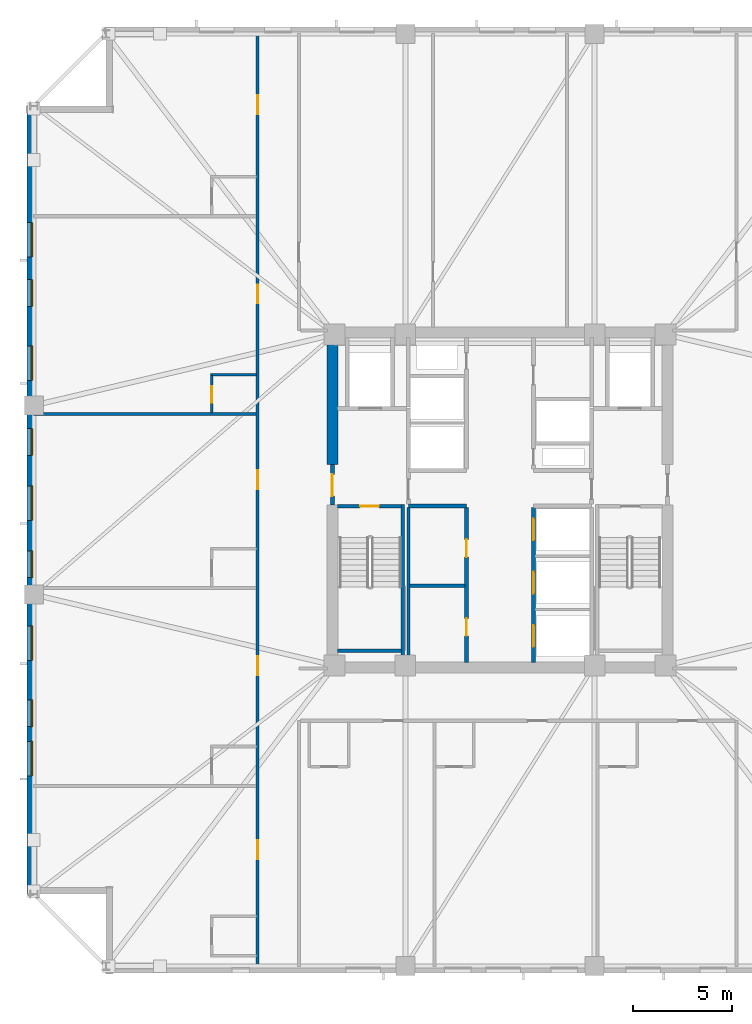
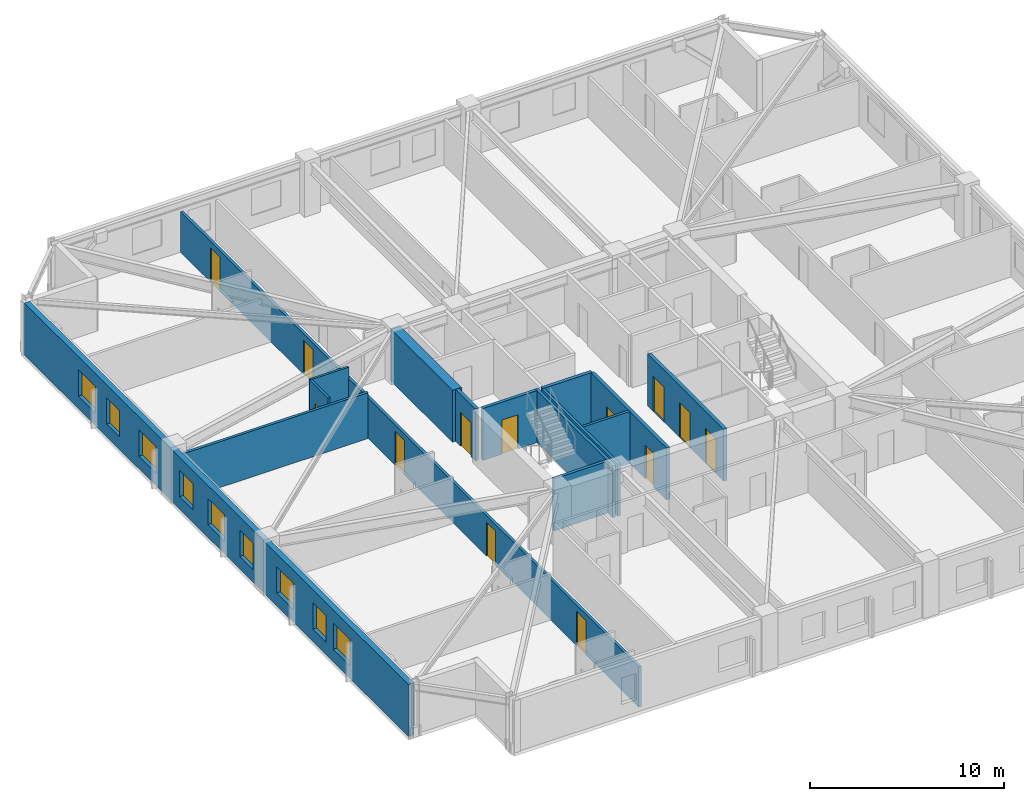
# One storey, part 3 of 11: 15 walls, 13 doors, 9 windows, 22 openings.
"""IFC4 building model written with IfcOpenShell, lengths in metres."""

from ifc_helpers import new_model, si_unit, direction, frame, frame_2d, origin, place, context, subcontext, project, spatial, rectangle, extrude, material, layer, layer_set, type_object, element, fill, save


model = new_model("IFC4")

# Units and contexts
model_context = context("Model", 3, precision=1e-05, world=origin(), true_north=direction((0.0, 1.0)))
body_context = subcontext(model_context, "Body", "Model", "MODEL_VIEW")
ifc_project = project(units=[si_unit("LENGTHUNIT", "METRE"), si_unit("AREAUNIT", "SQUARE_METRE"), si_unit("VOLUMEUNIT", "CUBIC_METRE"), si_unit("PLANEANGLEUNIT", "RADIAN"), si_unit("MASSUNIT", "GRAM", prefix="KILO")], contexts=[model_context])

# Site, building, storey
site_placement = place(None, origin())
site = spatial("IfcSite", under=ifc_project, at=site_placement, CompositionType="ELEMENT")
building_placement = place(site_placement, origin())
building = spatial("IfcBuilding", under=site, at=building_placement, Name="Cairnveth Concourse Tower", CompositionType="ELEMENT")
storey_placement = place(building_placement, frame((0.0, 0.0, 172.5)))
storey = spatial("IfcBuildingStorey", under=building, at=storey_placement, Name="L47", CompositionType="ELEMENT", Elevation=172.5)

# Walls
ifc_material_1 = material(Name="Gypsum Plasterboard Partition", Category="gypsum")
ifc_layer_1 = layer(ifc_material_1, 0.159912109375)
ifc_layer_set_1 = layer_set([ifc_layer_1], Name="Gypsum Plasterboard Partition")
wall_type_1 = type_object("IfcWallType", Name="ACOUSTIC PARTY WALL 180", PredefinedType="PARTITIONING", material=ifc_layer_set_1)
wall_1_placement = place(storey_placement, frame((47.35009765625, 30.760009765625, 0.0), z_axis=(0.0, 0.0, 1.0), x_axis=(0.0, 1.0, 0.0)))
element("IfcWall", 1, at=wall_1_placement, inside=storey, type_object=wall_type_1, Name="Interior Wall IW-L47-025", PredefinedType="PARTITIONING", context=body_context, shape_type="SweptSolid", body=[
    extrude(rectangle(XDim=7.85498046875, YDim=0.159912109375, at=frame_2d((3.927490234375, 0.0))), origin(), (0.0, 0.0, 1.0), 3.280029296875),
])
wall_2_placement = place(storey_placement, frame((47.4150390625, 34.64990234375, 0.0), z_axis=(0.0, 0.0, 1.0), x_axis=(1.0, 0.0, 0.0)))
element("IfcWall", 2, at=wall_2_placement, inside=storey, type_object=wall_type_1, Name="Interior Wall IW-L47-026", PredefinedType="PARTITIONING", context=body_context, shape_type="SweptSolid", body=[
    extrude(rectangle(XDim=2.800048828125, YDim=0.159912109375, at=frame_2d((1.39990234375, 0.0))), origin(), (0.0, 0.0, 1.0), 3.280029296875),
])

# Wall, openings, doors
wall_3_placement = place(storey_placement, frame((39.699951171875, 15.324951171875, 0.0), z_axis=(0.0, 0.0, 1.0), x_axis=(0.0, 1.0, 0.0)))
wall_3 = element("IfcWall", 3, at=wall_3_placement, inside=storey, type_object=wall_type_1, Name="Interior Wall IW-L47-036", PredefinedType="PARTITIONING", context=body_context, shape_type="SweptSolid", body=[
    extrude(rectangle(XDim=47.35009765625, YDim=0.159912109375, at=frame_2d((23.675048828125, 0.0))), origin(), (0.0, 0.0, 1.0), 2.554931640625),
])
opening_1_placement = place(wall_3_placement, frame((5.451416015625, 0.0, 0.0)))
opening_1 = element("IfcOpeningElement", 4, at=opening_1_placement, cuts=wall_3, Name="Opening ID09", PredefinedType="OPENING", context=body_context, shape_type="SweptSolid", body=[
    extrude(rectangle(XDim=0.9599609375, YDim=2.14990234375, at=frame_2d((0.47998046875, 1.074951171875))), frame((0.0, 0.08984375, 0.0), z_axis=(0.0, -1.0, 0.0), x_axis=(1.0, 0.0, 0.0)), (0.0, 0.0, 1.0), 0.179931640625),
])
opening_2_placement = place(wall_3_placement, frame((14.78271484375, 0.0, 0.0)))
opening_2 = element("IfcOpeningElement", 5, at=opening_2_placement, cuts=wall_3, Name="Opening ID09", PredefinedType="OPENING", context=body_context, shape_type="SweptSolid", body=[
    extrude(rectangle(XDim=0.9599609375, YDim=2.14990234375, at=frame_2d((0.47998046875, 1.074951171875))), frame((0.0, 0.08984375, 0.0), z_axis=(0.0, -1.0, 0.0), x_axis=(1.0, 0.0, 0.0)), (0.0, 0.0, 1.0), 0.179931640625),
])
opening_3_placement = place(wall_3_placement, frame((24.21484375, 0.0, 0.0)))
opening_3 = element("IfcOpeningElement", 6, at=opening_3_placement, cuts=wall_3, Name="Opening ID09", PredefinedType="OPENING", context=body_context, shape_type="SweptSolid", body=[
    extrude(rectangle(XDim=0.9599609375, YDim=2.14990234375, at=frame_2d((0.47998046875, 1.074951171875))), frame((0.0, 0.08984375, 0.0), z_axis=(0.0, -1.0, 0.0), x_axis=(1.0, 0.0, 0.0)), (0.0, 0.0, 1.0), 0.179931640625),
])
opening_4_placement = place(wall_3_placement, frame((33.646728515625, 0.0, 0.0)))
opening_4 = element("IfcOpeningElement", 7, at=opening_4_placement, cuts=wall_3, Name="Opening ID09", PredefinedType="OPENING", context=body_context, shape_type="SweptSolid", body=[
    extrude(rectangle(XDim=0.9599609375, YDim=2.14990234375, at=frame_2d((0.47998046875, 1.074951171875))), frame((0.0, 0.08984375, 0.0), z_axis=(0.0, -1.0, 0.0), x_axis=(1.0, 0.0, 0.0)), (0.0, 0.0, 1.0), 0.179931640625),
])
opening_5_placement = place(wall_3_placement, frame((43.25830078125, 0.0, 0.0)))
opening_5 = element("IfcOpeningElement", 8, at=opening_5_placement, cuts=wall_3, Name="Opening ID09", PredefinedType="OPENING", context=body_context, shape_type="SweptSolid", body=[
    extrude(rectangle(XDim=0.9599609375, YDim=2.14990234375, at=frame_2d((0.47998046875, 1.074951171875))), frame((0.0, 0.08984375, 0.0), z_axis=(0.0, -1.0, 0.0), x_axis=(1.0, 0.0, 0.0)), (0.0, 0.0, 1.0), 0.179931640625),
])
ifc_material_2 = material(Name="Solid Core Hardwood Timber Leaf", Category="wood")
door_type_1 = type_object("IfcDoorType", Name="HOTEL ENTRANCE DOOR 960X2150", OperationType="NOTDEFINED", PredefinedType="DOOR", material=ifc_material_2)
door_1_placement = place(opening_1_placement, origin())
door_1 = element("IfcDoor", 9, at=door_1_placement, inside=storey, type_object=door_type_1, Name="Hotel Room Door L47-W1", OperationType="SINGLE_SWING_LEFT", OverallHeight=2.14990234375, OverallWidth=0.9599609375, PredefinedType="DOOR", context=body_context, shape_type="SweptSolid", body=[
    extrude(rectangle(XDim=0.9599609375, YDim=2.14990234375, at=frame_2d((0.47998046875, 1.074951171875))), frame((0.0, 0.02490234375, 0.0), z_axis=(0.0, -1.0, 0.0), x_axis=(1.0, 0.0, 0.0)), (0.0, 0.0, 1.0), 0.050048828125),
])
fill(opening_1, door_1)
door_2_placement = place(opening_2_placement, origin())
door_2 = element("IfcDoor", 10, at=door_2_placement, inside=storey, type_object=door_type_1, Name="Hotel Room Door L47-W2", OperationType="SINGLE_SWING_LEFT", OverallHeight=2.14990234375, OverallWidth=0.9599609375, PredefinedType="DOOR", context=body_context, shape_type="SweptSolid", body=[
    extrude(rectangle(XDim=0.9599609375, YDim=2.14990234375, at=frame_2d((0.47998046875, 1.074951171875))), frame((0.0, 0.02490234375, 0.0), z_axis=(0.0, -1.0, 0.0), x_axis=(1.0, 0.0, 0.0)), (0.0, 0.0, 1.0), 0.050048828125),
])
fill(opening_2, door_2)
door_3_placement = place(opening_3_placement, origin())
door_3 = element("IfcDoor", 11, at=door_3_placement, inside=storey, type_object=door_type_1, Name="Hotel Room Door L47-W3", OperationType="SINGLE_SWING_LEFT", OverallHeight=2.14990234375, OverallWidth=0.9599609375, PredefinedType="DOOR", context=body_context, shape_type="SweptSolid", body=[
    extrude(rectangle(XDim=0.9599609375, YDim=2.14990234375, at=frame_2d((0.47998046875, 1.074951171875))), frame((0.0, 0.02490234375, 0.0), z_axis=(0.0, -1.0, 0.0), x_axis=(1.0, 0.0, 0.0)), (0.0, 0.0, 1.0), 0.050048828125),
])
fill(opening_3, door_3)
door_4_placement = place(opening_4_placement, origin())
door_4 = element("IfcDoor", 12, at=door_4_placement, inside=storey, type_object=door_type_1, Name="Hotel Room Door L47-W4", OperationType="SINGLE_SWING_LEFT", OverallHeight=2.14990234375, OverallWidth=0.9599609375, PredefinedType="DOOR", context=body_context, shape_type="SweptSolid", body=[
    extrude(rectangle(XDim=0.9599609375, YDim=2.14990234375, at=frame_2d((0.47998046875, 1.074951171875))), frame((0.0, 0.02490234375, 0.0), z_axis=(0.0, -1.0, 0.0), x_axis=(1.0, 0.0, 0.0)), (0.0, 0.0, 1.0), 0.050048828125),
])
fill(opening_4, door_4)
door_5_placement = place(opening_5_placement, origin())
door_5 = element("IfcDoor", 13, at=door_5_placement, inside=storey, type_object=door_type_1, Name="Hotel Room Door L47-W5", OperationType="SINGLE_SWING_LEFT", OverallHeight=2.14990234375, OverallWidth=0.9599609375, PredefinedType="DOOR", context=body_context, shape_type="SweptSolid", body=[
    extrude(rectangle(XDim=0.9599609375, YDim=2.14990234375, at=frame_2d((0.47998046875, 1.074951171875))), frame((0.0, 0.02490234375, 0.0), z_axis=(0.0, -1.0, 0.0), x_axis=(1.0, 0.0, 0.0)), (0.0, 0.0, 1.0), 0.050048828125),
])
fill(opening_5, door_5)

# Walls
wall_4_placement = place(storey_placement, frame((28.324951171875, 43.35693359375, 0.0), z_axis=(0.0, 0.0, 1.0), x_axis=(1.0, 0.0, 0.0)))
element("IfcWall", 14, at=wall_4_placement, inside=storey, type_object=wall_type_1, Name="Interior Wall IW-L47-067", PredefinedType="PARTITIONING", context=body_context, shape_type="SweptSolid", body=[
    extrude(rectangle(XDim=11.295166015625, YDim=0.159912109375, at=frame_2d((5.6474609375, 0.0))), origin(), (0.0, 0.0, 1.0), 2.89599609375),
])
ifc_material_3 = material(Name="Concrete N80 (80 MPa)", Category="concrete")
ifc_layer_2 = layer(ifc_material_3, 0.550048828125)
ifc_layer_set_2 = layer_set([ifc_layer_2], Name="Concrete N80 (80 MPa)")
wall_type_2 = type_object("IfcWallType", Name="CORE SHEAR WALL 550", PredefinedType="SHEAR", material=ifc_layer_set_2)
wall_5_placement = place(storey_placement, frame((43.5, 40.800048828125, 0.0), z_axis=(0.0, 0.0, 1.0), x_axis=(0.0, 1.0, 0.0)))
element("IfcWall", 15, at=wall_5_placement, inside=storey, type_object=wall_type_2, Name="Core West Shear Wall N L47", PredefinedType="SHEAR", context=body_context, shape_type="SweptSolid", body=[
    extrude(rectangle(XDim=6.43505859375, YDim=0.550048828125, at=frame_2d((3.217529296875, 0.0))), origin(), (0.0, 0.0, 1.0), 3.280029296875),
])

# Wall, opening, door
ifc_material_4 = material(Name="Concrete N50 (50 MPa)", Category="concrete")
ifc_layer_3 = layer(ifc_material_4, 0.179931640625)
ifc_layer_set_3 = layer_set([ifc_layer_3], Name="Concrete N50 (50 MPa)")
wall_type_3 = type_object("IfcWallType", Name="FIRE SHAFT WALL 180", PredefinedType="SOLIDWALL", material=ifc_layer_set_3)
wall_6_placement = place(storey_placement, frame((43.764892578125, 38.68994140625, 0.0), z_axis=(0.0, 0.0, 1.0), x_axis=(1.0, 0.0, 0.0)))
wall_6 = element("IfcWall", 16, at=wall_6_placement, inside=storey, type_object=wall_type_3, Name="Stair ST-1 Shaft Wall NEAR L47", PredefinedType="SOLIDWALL", context=body_context, shape_type="SweptSolid", body=[
    extrude(rectangle(XDim=3.230224609375, YDim=0.179931640625, at=frame_2d((1.615234375, 0.0))), origin(), (0.0, 0.0, 1.0), 3.280029296875),
])
opening_6_placement = place(wall_6_placement, frame((1.139892578125, 0.0, 0.0)))
opening_6 = element("IfcOpeningElement", 17, at=opening_6_placement, cuts=wall_6, Name="Opening ID12", PredefinedType="OPENING", context=body_context, shape_type="SweptSolid", body=[
    extrude(rectangle(XDim=0.949951171875, YDim=2.14990234375, at=frame_2d((0.47509765625, 1.074951171875))), frame((0.0, 0.099853515625, 0.0), z_axis=(0.0, -1.0, 0.0), x_axis=(1.0, 0.0, 0.0)), (0.0, 0.0, 1.0), 0.199951171875),
])
ifc_material_5 = material(Name="Steel Grade 350", Category="steel")
door_type_2 = type_object("IfcDoorType", Name="FIRE STAIR DOOR 950X2150", OperationType="NOTDEFINED", PredefinedType="DOOR", material=ifc_material_5)
door_6_placement = place(opening_6_placement, origin())
door_6 = element("IfcDoor", 18, at=door_6_placement, inside=storey, type_object=door_type_2, Name="Stair ST-1 Fire Door L47", OperationType="SINGLE_SWING_LEFT", OverallHeight=2.14990234375, OverallWidth=0.949951171875, PredefinedType="DOOR", context=body_context, shape_type="SweptSolid", body=[
    extrude(rectangle(XDim=0.949951171875, YDim=2.14990234375, at=frame_2d((0.47509765625, 1.074951171875))), frame((0.0, 0.02490234375, 0.0), z_axis=(0.0, -1.0, 0.0), x_axis=(1.0, 0.0, 0.0)), (0.0, 0.0, 1.0), 0.050048828125),
])
fill(opening_6, door_6)

# Walls
wall_7_placement = place(storey_placement, frame((43.764892578125, 31.360107421875, 0.0), z_axis=(0.0, 0.0, 1.0), x_axis=(1.0, 0.0, 0.0)))
element("IfcWall", 19, at=wall_7_placement, inside=storey, type_object=wall_type_3, Name="Stair ST-1 Shaft Wall FAR L47", PredefinedType="SOLIDWALL", context=body_context, shape_type="SweptSolid", body=[
    extrude(rectangle(XDim=3.230224609375, YDim=0.179931640625, at=frame_2d((1.615234375, 0.0))), origin(), (0.0, 0.0, 1.0), 3.280029296875),
])
wall_8_placement = place(storey_placement, frame((47.070068359375, 38.780029296875, 0.0), z_axis=(0.0, 0.0, 1.0), x_axis=(0.0, -1.0, 0.0)))
element("IfcWall", 20, at=wall_8_placement, inside=storey, type_object=wall_type_3, Name="Stair ST-1 Shaft Wall RGHT L47", PredefinedType="SOLIDWALL", context=body_context, shape_type="SweptSolid", body=[
    extrude(rectangle(XDim=8.01708984375, YDim=0.179931640625, at=frame_2d((4.008544921875, 0.0))), origin(), (0.0, 0.0, 1.0), 3.280029296875),
])
ifc_layer_4 = layer(ifc_material_4, 0.199951171875)
ifc_layer_set_4 = layer_set([ifc_layer_4], Name="Concrete N50 (50 MPa)")
wall_type_4 = type_object("IfcWallType", Name="FIRE SHAFT WALL 200", PredefinedType="SOLIDWALL", material=ifc_layer_set_4)
wall_9_placement = place(storey_placement, frame((47.35009765625, 38.699951171875, 0.0), z_axis=(0.0, 0.0, 1.0), x_axis=(1.0, 0.0, 0.0)))
element("IfcWall", 21, at=wall_9_placement, inside=storey, type_object=wall_type_4, Name="Interior Wall IW-L47-007", PredefinedType="SOLIDWALL", context=body_context, shape_type="SweptSolid", body=[
    extrude(rectangle(XDim=2.949951171875, YDim=0.199951171875, at=frame_2d((1.47509765625, 0.0))), origin(), (0.0, 0.0, 1.0), 3.280029296875),
])

# Wall, openings, doors
wall_10_placement = place(storey_placement, frame((50.300048828125, 30.760009765625, 0.0), z_axis=(0.0, 0.0, 1.0), x_axis=(0.0, 1.0, 0.0)))
wall_10 = element("IfcWall", 22, at=wall_10_placement, inside=storey, type_object=wall_type_4, Name="Interior Wall IW-L47-011", PredefinedType="SOLIDWALL", context=body_context, shape_type="SweptSolid", body=[
    extrude(rectangle(XDim=7.85498046875, YDim=0.199951171875, at=frame_2d((3.927490234375, 0.0))), origin(), (0.0, 0.0, 1.0), 3.280029296875),
])
opening_7_placement = place(wall_10_placement, frame((1.340087890625, 0.0, 0.0)))
opening_7 = element("IfcOpeningElement", 23, at=opening_7_placement, cuts=wall_10, Name="Opening ID26", PredefinedType="OPENING", context=body_context, shape_type="SweptSolid", body=[
    extrude(rectangle(XDim=0.89990234375, YDim=2.1201171875, at=frame_2d((0.449951171875, 1.06005859375))), frame((0.0, 0.10986328125, 0.0), z_axis=(0.0, -1.0, 0.0), x_axis=(1.0, 0.0, 0.0)), (0.0, 0.0, 1.0), 0.219970703125),
])
opening_8_placement = place(wall_10_placement, frame((5.340087890625, 0.0, 0.0)))
opening_8 = element("IfcOpeningElement", 24, at=opening_8_placement, cuts=wall_10, Name="Opening ID26", PredefinedType="OPENING", context=body_context, shape_type="SweptSolid", body=[
    extrude(rectangle(XDim=0.89990234375, YDim=2.1201171875, at=frame_2d((0.449951171875, 1.06005859375))), frame((0.0, 0.10986328125, 0.0), z_axis=(0.0, -1.0, 0.0), x_axis=(1.0, 0.0, 0.0)), (0.0, 0.0, 1.0), 0.219970703125),
])
door_type_3 = type_object("IfcDoorType", Name="CORE TOILET FIRE DOOR 900X2120", OperationType="NOTDEFINED", PredefinedType="DOOR", material=ifc_material_5)
door_7_placement = place(opening_7_placement, origin())
door_7 = element("IfcDoor", 25, at=door_7_placement, inside=storey, type_object=door_type_3, Name="Male WC Door L47", OperationType="SINGLE_SWING_LEFT", OverallHeight=2.1201171875, OverallWidth=0.89990234375, PredefinedType="DOOR", context=body_context, shape_type="SweptSolid", body=[
    extrude(rectangle(XDim=0.89990234375, YDim=2.1201171875, at=frame_2d((0.449951171875, 1.06005859375))), frame((0.0, 0.02490234375, 0.0), z_axis=(0.0, -1.0, 0.0), x_axis=(1.0, 0.0, 0.0)), (0.0, 0.0, 1.0), 0.050048828125),
])
fill(opening_7, door_7)
door_8_placement = place(opening_8_placement, origin())
door_8 = element("IfcDoor", 26, at=door_8_placement, inside=storey, type_object=door_type_3, Name="Female WC Door L47", OperationType="SINGLE_SWING_RIGHT", OverallHeight=2.1201171875, OverallWidth=0.89990234375, PredefinedType="DOOR", context=body_context, shape_type="SweptSolid", body=[
    extrude(rectangle(XDim=0.89990234375, YDim=2.1201171875, at=frame_2d((0.449951171875, 1.06005859375))), frame((0.0, 0.02490234375, 0.0), z_axis=(0.0, -1.0, 0.0), x_axis=(1.0, 0.0, 0.0)), (0.0, 0.0, 1.0), 0.050048828125),
])
fill(opening_8, door_8)

wall_11_placement = place(storey_placement, frame((53.699951171875, 30.760009765625, 0.0), z_axis=(0.0, 0.0, 1.0), x_axis=(0.0, 1.0, 0.0)))
wall_11 = element("IfcWall", 27, at=wall_11_placement, inside=storey, type_object=wall_type_4, Name="Interior Wall IW-L47-012", PredefinedType="SOLIDWALL", context=body_context, shape_type="SweptSolid", body=[
    extrude(rectangle(XDim=7.85498046875, YDim=0.199951171875, at=frame_2d((3.927490234375, 0.0))), origin(), (0.0, 0.0, 1.0), 3.280029296875),
])
opening_9_placement = place(wall_11_placement, frame((0.7900390625, 0.0, 0.0)))
opening_9 = element("IfcOpeningElement", 28, at=opening_9_placement, cuts=wall_11, Name="Opening LD-1", PredefinedType="OPENING", context=body_context, shape_type="SweptSolid", body=[
    extrude(rectangle(XDim=1.10009765625, YDim=2.199951171875, at=frame_2d((0.550048828125, 1.10009765625))), frame((0.0, 0.10986328125, 0.0), z_axis=(0.0, -1.0, 0.0), x_axis=(1.0, 0.0, 0.0)), (0.0, 0.0, 1.0), 0.219970703125),
])
opening_10_placement = place(wall_11_placement, frame((3.489990234375, 0.0, 0.0)))
opening_10 = element("IfcOpeningElement", 29, at=opening_10_placement, cuts=wall_11, Name="Opening LD-1", PredefinedType="OPENING", context=body_context, shape_type="SweptSolid", body=[
    extrude(rectangle(XDim=1.10009765625, YDim=2.199951171875, at=frame_2d((0.550048828125, 1.10009765625))), frame((0.0, 0.10986328125, 0.0), z_axis=(0.0, -1.0, 0.0), x_axis=(1.0, 0.0, 0.0)), (0.0, 0.0, 1.0), 0.219970703125),
])
opening_11_placement = place(wall_11_placement, frame((6.18994140625, 0.0, 0.0)))
opening_11 = element("IfcOpeningElement", 30, at=opening_11_placement, cuts=wall_11, Name="Opening LD-1", PredefinedType="OPENING", context=body_context, shape_type="SweptSolid", body=[
    extrude(rectangle(XDim=1.10009765625, YDim=2.199951171875, at=frame_2d((0.550048828125, 1.10009765625))), frame((0.0, 0.10986328125, 0.0), z_axis=(0.0, -1.0, 0.0), x_axis=(1.0, 0.0, 0.0)), (0.0, 0.0, 1.0), 0.219970703125),
])
ifc_material_6 = material(Name="Architectural Bronze Anodised Aluminium 6063-T6", Category="aluminium")
door_type_4 = type_object("IfcDoorType", Name="LIFT LANDING DOOR 1100X2200", OperationType="SLIDING_TO_LEFT", PredefinedType="DOOR", material=ifc_material_6)
door_9_placement = place(opening_9_placement, origin())
door_9 = element("IfcDoor", 31, at=door_9_placement, inside=storey, type_object=door_type_4, Name="Lift PL4 Landing Door L47", OperationType="SLIDING_TO_LEFT", OverallHeight=2.199951171875, OverallWidth=1.10009765625, PredefinedType="DOOR", context=body_context, shape_type="SweptSolid", body=[
    extrude(rectangle(XDim=1.10009765625, YDim=2.199951171875, at=frame_2d((0.550048828125, 1.10009765625))), frame((0.0, 0.02490234375, 0.0), z_axis=(0.0, -1.0, 0.0), x_axis=(1.0, 0.0, 0.0)), (0.0, 0.0, 1.0), 0.050048828125),
])
fill(opening_9, door_9)
door_10_placement = place(opening_10_placement, origin())
door_10 = element("IfcDoor", 32, at=door_10_placement, inside=storey, type_object=door_type_4, Name="Lift PL5 Landing Door L47", OperationType="SLIDING_TO_LEFT", OverallHeight=2.199951171875, OverallWidth=1.10009765625, PredefinedType="DOOR", context=body_context, shape_type="SweptSolid", body=[
    extrude(rectangle(XDim=1.10009765625, YDim=2.199951171875, at=frame_2d((0.550048828125, 1.10009765625))), frame((0.0, 0.02490234375, 0.0), z_axis=(0.0, -1.0, 0.0), x_axis=(1.0, 0.0, 0.0)), (0.0, 0.0, 1.0), 0.050048828125),
])
fill(opening_10, door_10)
door_11_placement = place(opening_11_placement, origin())
door_11 = element("IfcDoor", 33, at=door_11_placement, inside=storey, type_object=door_type_4, Name="Lift PL6 Landing Door L47", OperationType="SLIDING_TO_LEFT", OverallHeight=2.199951171875, OverallWidth=1.10009765625, PredefinedType="DOOR", context=body_context, shape_type="SweptSolid", body=[
    extrude(rectangle(XDim=1.10009765625, YDim=2.199951171875, at=frame_2d((0.550048828125, 1.10009765625))), frame((0.0, 0.02490234375, 0.0), z_axis=(0.0, -1.0, 0.0), x_axis=(1.0, 0.0, 0.0)), (0.0, 0.0, 1.0), 0.050048828125),
])
fill(opening_11, door_11)

# Wall, opening, door
wall_12_placement = place(storey_placement, frame((43.5, 38.75, 0.0), z_axis=(0.0, 0.0, 1.0), x_axis=(0.0, 1.0, 0.0)))
wall_12 = element("IfcWall", 34, at=wall_12_placement, inside=storey, type_object=wall_type_4, Name="Interior Wall IW-L47-015", PredefinedType="SOLIDWALL", context=body_context, shape_type="SweptSolid", body=[
    extrude(rectangle(XDim=2.050048828125, YDim=0.199951171875, at=frame_2d((1.02490234375, 0.0))), origin(), (0.0, 0.0, 1.0), 3.280029296875),
])
opening_12_placement = place(wall_12_placement, frame((0.449951171875, 0.0, 0.0)))
opening_12 = element("IfcOpeningElement", 35, at=opening_12_placement, cuts=wall_12, Name="Opening ID06", PredefinedType="OPENING", context=body_context, shape_type="SweptSolid", body=[
    extrude(rectangle(XDim=1.10009765625, YDim=2.14990234375, at=frame_2d((0.550048828125, 1.074951171875))), frame((0.0, 0.10986328125, 0.0), z_axis=(0.0, -1.0, 0.0), x_axis=(1.0, 0.0, 0.0)), (0.0, 0.0, 1.0), 0.219970703125),
])
door_type_5 = type_object("IfcDoorType", Name="FIRE CORRIDOR DOOR 1100X2150", OperationType="NOTDEFINED", PredefinedType="DOOR", material=ifc_material_5)
door_12_placement = place(opening_12_placement, origin())
door_12 = element("IfcDoor", 36, at=door_12_placement, inside=storey, type_object=door_type_5, Name="West Wing to FF Lobby Door L47", OperationType="SINGLE_SWING_LEFT", OverallHeight=2.14990234375, OverallWidth=1.10009765625, PredefinedType="DOOR", context=body_context, shape_type="SweptSolid", body=[
    extrude(rectangle(XDim=1.10009765625, YDim=2.14990234375, at=frame_2d((0.550048828125, 1.074951171875))), frame((0.0, 0.02490234375, 0.0), z_axis=(0.0, -1.0, 0.0), x_axis=(1.0, 0.0, 0.0)), (0.0, 0.0, 1.0), 0.050048828125),
])
fill(opening_12, door_12)

# Wall
ifc_layer_5 = layer(ifc_material_1, 0.1298828125)
ifc_layer_set_5 = layer_set([ifc_layer_5], Name="Gypsum Plasterboard Partition")
wall_type_5 = type_object("IfcWallType", Name="WET AREA PARTITION 140", PredefinedType="PLUMBINGWALL", material=ifc_layer_set_5)
wall_13_placement = place(storey_placement, frame((37.320068359375, 45.35693359375, 0.0), z_axis=(0.0, 0.0, 1.0), x_axis=(1.0, 0.0, 0.0)))
element("IfcWall", 37, at=wall_13_placement, inside=storey, type_object=wall_type_5, Name="Interior Wall IW-L47-068", PredefinedType="PLUMBINGWALL", context=body_context, shape_type="SweptSolid", body=[
    extrude(rectangle(XDim=2.31494140625, YDim=0.1298828125, at=frame_2d((1.157470703125, 0.0))), origin(), (0.0, 0.0, 1.0), 3.280029296875),
])

# Wall, opening, door
wall_14_placement = place(storey_placement, frame((37.3701171875, 43.421875, 0.0), z_axis=(0.0, 0.0, 1.0), x_axis=(0.0, 1.0, 0.0)))
wall_14 = element("IfcWall", 38, at=wall_14_placement, inside=storey, type_object=wall_type_5, Name="Interior Wall IW-L47-069", PredefinedType="PLUMBINGWALL", context=body_context, shape_type="SweptSolid", body=[
    extrude(rectangle(XDim=1.885009765625, YDim=0.1298828125, at=frame_2d((0.9423828125, 0.0))), origin(), (0.0, 0.0, 1.0), 3.280029296875),
])
opening_13_placement = place(wall_14_placement, frame((0.52490234375, 0.0, 0.0)))
opening_13 = element("IfcOpeningElement", 39, at=opening_13_placement, cuts=wall_14, Name="Opening ID22", PredefinedType="OPENING", context=body_context, shape_type="SweptSolid", body=[
    extrude(rectangle(XDim=0.820068359375, YDim=2.10009765625, at=frame_2d((0.41015625, 1.050048828125))), frame((0.0, 0.074951171875, 0.0), z_axis=(0.0, -1.0, 0.0), x_axis=(1.0, 0.0, 0.0)), (0.0, 0.0, 1.0), 0.14990234375),
])
door_type_6 = type_object("IfcDoorType", Name="INTERIOR WC DOOR 820X2100", OperationType="NOTDEFINED", PredefinedType="DOOR", material=ifc_material_2)
door_13_placement = place(opening_13_placement, origin())
door_13 = element("IfcDoor", 40, at=door_13_placement, inside=storey, type_object=door_type_6, Name="En-Suite Door L47-W4", OperationType="SINGLE_SWING_RIGHT", OverallHeight=2.10009765625, OverallWidth=0.820068359375, PredefinedType="DOOR", context=body_context, shape_type="SweptSolid", body=[
    extrude(rectangle(XDim=0.820068359375, YDim=2.10009765625, at=frame_2d((0.41015625, 1.050048828125))), frame((0.0, 0.02490234375, 0.0), z_axis=(0.0, -1.0, 0.0), x_axis=(1.0, 0.0, 0.0)), (0.0, 0.0, 1.0), 0.050048828125),
])
fill(opening_13, door_13)

# Wall, openings, windows
ifc_material_7 = material(Name="Hawthorn Red-Ochre Fired Clay Brick Masonry", Category="masonry")
ifc_layer_6 = layer(ifc_material_7, 0.340087890625)
ifc_layer_set_6 = layer_set([ifc_layer_6], Name="Hawthorn Red-Ochre Fired Clay Brick Masonry")
wall_type_6 = type_object("IfcWallType", Name="ZONE 2 BRICK PIER SPANDREL WALL 340", PredefinedType="SOLIDWALL", material=ifc_layer_set_6)
wall_15_placement = place(storey_placement, frame((28.169921875, 19.0, 0.0), z_axis=(0.0, 0.0, 1.0), x_axis=(0.0, 1.0, 0.0)))
wall_15 = element("IfcWall", 41, at=wall_15_placement, inside=storey, type_object=wall_type_6, Name="Exterior Wall EW-L47-S06", PredefinedType="SOLIDWALL", context=body_context, shape_type="SweptSolid", body=[
    extrude(rectangle(XDim=39.681884765625, YDim=0.340087890625, at=frame_2d((19.8408203125, 0.0))), origin(), (0.0, 0.0, 1.0), 3.280029296875),
])
opening_14_placement = place(wall_15_placement, frame((6.001708984375, 0.0, 0.800048828125)))
opening_14 = element("IfcOpeningElement", 42, at=opening_14_placement, cuts=wall_15, Name="Opening W06", PredefinedType="OPENING", context=body_context, shape_type="SweptSolid", body=[
    extrude(rectangle(XDim=1.75, YDim=1.659912109375, at=frame_2d((0.875, 0.830078125))), frame((0.0, 0.179931640625, 0.0), z_axis=(0.0, -1.0, 0.0), x_axis=(1.0, 0.0, 0.0)), (0.0, 0.0, 1.0), 0.360107421875),
])
opening_15_placement = place(wall_15_placement, frame((8.50537109375, 0.0, 0.800048828125)))
opening_15 = element("IfcOpeningElement", 43, at=opening_15_placement, cuts=wall_15, Name="Opening W02", PredefinedType="OPENING", context=body_context, shape_type="SweptSolid", body=[
    extrude(rectangle(XDim=1.35009765625, YDim=1.659912109375, at=frame_2d((0.675048828125, 0.830078125))), frame((0.0, 0.179931640625, 0.0), z_axis=(0.0, -1.0, 0.0), x_axis=(1.0, 0.0, 0.0)), (0.0, 0.0, 1.0), 0.360107421875),
])
opening_16_placement = place(wall_15_placement, frame((11.85888671875, 0.0, 0.800048828125)))
opening_16 = element("IfcOpeningElement", 44, at=opening_16_placement, cuts=wall_15, Name="Opening W06", PredefinedType="OPENING", context=body_context, shape_type="SweptSolid", body=[
    extrude(rectangle(XDim=1.75, YDim=1.659912109375, at=frame_2d((0.875, 0.830078125))), frame((0.0, 0.179931640625, 0.0), z_axis=(0.0, -1.0, 0.0), x_axis=(1.0, 0.0, 0.0)), (0.0, 0.0, 1.0), 0.360107421875),
])
opening_17_placement = place(wall_15_placement, frame((16.0625, 0.0, 0.800048828125)))
opening_17 = element("IfcOpeningElement", 45, at=opening_17_placement, cuts=wall_15, Name="Opening W02", PredefinedType="OPENING", context=body_context, shape_type="SweptSolid", body=[
    extrude(rectangle(XDim=1.35009765625, YDim=1.659912109375, at=frame_2d((0.675048828125, 0.830078125))), frame((0.0, 0.179931640625, 0.0), z_axis=(0.0, -1.0, 0.0), x_axis=(1.0, 0.0, 0.0)), (0.0, 0.0, 1.0), 0.360107421875),
])
opening_18_placement = place(wall_15_placement, frame((18.966064453125, 0.0, 0.800048828125)))
opening_18 = element("IfcOpeningElement", 46, at=opening_18_placement, cuts=wall_15, Name="Opening W06", PredefinedType="OPENING", context=body_context, shape_type="SweptSolid", body=[
    extrude(rectangle(XDim=1.75, YDim=1.659912109375, at=frame_2d((0.875, 0.830078125))), frame((0.0, 0.179931640625, 0.0), z_axis=(0.0, -1.0, 0.0), x_axis=(1.0, 0.0, 0.0)), (0.0, 0.0, 1.0), 0.360107421875),
])
opening_19_placement = place(wall_15_placement, frame((22.26953125, 0.0, 0.800048828125)))
opening_19 = element("IfcOpeningElement", 47, at=opening_19_placement, cuts=wall_15, Name="Opening W02", PredefinedType="OPENING", context=body_context, shape_type="SweptSolid", body=[
    extrude(rectangle(XDim=1.35009765625, YDim=1.659912109375, at=frame_2d((0.675048828125, 0.830078125))), frame((0.0, 0.179931640625, 0.0), z_axis=(0.0, -1.0, 0.0), x_axis=(1.0, 0.0, 0.0)), (0.0, 0.0, 1.0), 0.360107421875),
])
opening_20_placement = place(wall_15_placement, frame((26.072998046875, 0.0, 0.800048828125)))
opening_20 = element("IfcOpeningElement", 48, at=opening_20_placement, cuts=wall_15, Name="Opening W06", PredefinedType="OPENING", context=body_context, shape_type="SweptSolid", body=[
    extrude(rectangle(XDim=1.75, YDim=1.659912109375, at=frame_2d((0.875, 0.830078125))), frame((0.0, 0.179931640625, 0.0), z_axis=(0.0, -1.0, 0.0), x_axis=(1.0, 0.0, 0.0)), (0.0, 0.0, 1.0), 0.360107421875),
])
opening_21_placement = place(wall_15_placement, frame((29.82666015625, 0.0, 0.800048828125)))
opening_21 = element("IfcOpeningElement", 49, at=opening_21_placement, cuts=wall_15, Name="Opening W02", PredefinedType="OPENING", context=body_context, shape_type="SweptSolid", body=[
    extrude(rectangle(XDim=1.35009765625, YDim=1.659912109375, at=frame_2d((0.675048828125, 0.830078125))), frame((0.0, 0.179931640625, 0.0), z_axis=(0.0, -1.0, 0.0), x_axis=(1.0, 0.0, 0.0)), (0.0, 0.0, 1.0), 0.360107421875),
])
opening_22_placement = place(wall_15_placement, frame((32.330078125, 0.0, 0.800048828125)))
opening_22 = element("IfcOpeningElement", 50, at=opening_22_placement, cuts=wall_15, Name="Opening W06", PredefinedType="OPENING", context=body_context, shape_type="SweptSolid", body=[
    extrude(rectangle(XDim=1.75, YDim=1.659912109375, at=frame_2d((0.875, 0.830078125))), frame((0.0, 0.179931640625, 0.0), z_axis=(0.0, -1.0, 0.0), x_axis=(1.0, 0.0, 0.0)), (0.0, 0.0, 1.0), 0.360107421875),
])
ifc_material_8 = material(Name="Double Glazed Low-E Clear Glass", Category="glass")
window_type_1 = type_object("IfcWindowType", Name="DEEP-SET GOTHIC LANCET WINDOW 1350X1800", PartitioningType="DOUBLE_PANEL_VERTICAL", PredefinedType="WINDOW", material=ifc_material_8)
window_1_placement = place(opening_15_placement, origin())
window_1 = element("IfcWindow", 51, at=window_1_placement, inside=storey, type_object=window_type_1, Name="Gothic Lancet Window L47-6-2", OverallHeight=1.659912109375, OverallWidth=1.35009765625, PartitioningType="SINGLE_PANEL", PredefinedType="WINDOW", context=body_context, shape_type="SweptSolid", body=[
    extrude(rectangle(XDim=1.35009765625, YDim=1.659912109375, at=frame_2d((0.675048828125, 0.830078125))), frame((0.0, -0.050048828125, 0.0), z_axis=(0.0, -1.0, 0.0), x_axis=(1.0, 0.0, 0.0)), (0.0, 0.0, 1.0), 0.06005859375),
])
fill(opening_15, window_1)
window_2_placement = place(opening_17_placement, origin())
window_2 = element("IfcWindow", 52, at=window_2_placement, inside=storey, type_object=window_type_1, Name="Gothic Lancet Window L47-6-4", OverallHeight=1.659912109375, OverallWidth=1.35009765625, PartitioningType="SINGLE_PANEL", PredefinedType="WINDOW", context=body_context, shape_type="SweptSolid", body=[
    extrude(rectangle(XDim=1.35009765625, YDim=1.659912109375, at=frame_2d((0.675048828125, 0.830078125))), frame((0.0, -0.050048828125, 0.0), z_axis=(0.0, -1.0, 0.0), x_axis=(1.0, 0.0, 0.0)), (0.0, 0.0, 1.0), 0.06005859375),
])
fill(opening_17, window_2)
window_3_placement = place(opening_19_placement, origin())
window_3 = element("IfcWindow", 53, at=window_3_placement, inside=storey, type_object=window_type_1, Name="Gothic Lancet Window L47-6-6", OverallHeight=1.659912109375, OverallWidth=1.35009765625, PartitioningType="SINGLE_PANEL", PredefinedType="WINDOW", context=body_context, shape_type="SweptSolid", body=[
    extrude(rectangle(XDim=1.35009765625, YDim=1.659912109375, at=frame_2d((0.675048828125, 0.830078125))), frame((0.0, -0.050048828125, 0.0), z_axis=(0.0, -1.0, 0.0), x_axis=(1.0, 0.0, 0.0)), (0.0, 0.0, 1.0), 0.06005859375),
])
fill(opening_19, window_3)
window_4_placement = place(opening_21_placement, origin())
window_4 = element("IfcWindow", 54, at=window_4_placement, inside=storey, type_object=window_type_1, Name="Gothic Lancet Window L47-6-8", OverallHeight=1.659912109375, OverallWidth=1.35009765625, PartitioningType="SINGLE_PANEL", PredefinedType="WINDOW", context=body_context, shape_type="SweptSolid", body=[
    extrude(rectangle(XDim=1.35009765625, YDim=1.659912109375, at=frame_2d((0.675048828125, 0.830078125))), frame((0.0, -0.050048828125, 0.0), z_axis=(0.0, -1.0, 0.0), x_axis=(1.0, 0.0, 0.0)), (0.0, 0.0, 1.0), 0.06005859375),
])
fill(opening_21, window_4)
window_type_2 = type_object("IfcWindowType", Name="DEEP-SET HOTEL SUITE WINDOW 1750X1800", PartitioningType="DOUBLE_PANEL_VERTICAL", PredefinedType="WINDOW", material=ifc_material_8)
window_5_placement = place(opening_14_placement, origin())
window_5 = element("IfcWindow", 55, at=window_5_placement, inside=storey, type_object=window_type_2, Name="Gothic Lancet Window L47-6-1", OverallHeight=1.659912109375, OverallWidth=1.75, PartitioningType="SINGLE_PANEL", PredefinedType="WINDOW", context=body_context, shape_type="SweptSolid", body=[
    extrude(rectangle(XDim=1.75, YDim=1.659912109375, at=frame_2d((0.875, 0.830078125))), frame((0.0, -0.050048828125, 0.0), z_axis=(0.0, -1.0, 0.0), x_axis=(1.0, 0.0, 0.0)), (0.0, 0.0, 1.0), 0.06005859375),
])
fill(opening_14, window_5)
window_6_placement = place(opening_16_placement, origin())
window_6 = element("IfcWindow", 56, at=window_6_placement, inside=storey, type_object=window_type_2, Name="Gothic Lancet Window L47-6-3", OverallHeight=1.659912109375, OverallWidth=1.75, PartitioningType="SINGLE_PANEL", PredefinedType="WINDOW", context=body_context, shape_type="SweptSolid", body=[
    extrude(rectangle(XDim=1.75, YDim=1.659912109375, at=frame_2d((0.875, 0.830078125))), frame((0.0, -0.050048828125, 0.0), z_axis=(0.0, -1.0, 0.0), x_axis=(1.0, 0.0, 0.0)), (0.0, 0.0, 1.0), 0.06005859375),
])
fill(opening_16, window_6)
window_7_placement = place(opening_18_placement, origin())
window_7 = element("IfcWindow", 57, at=window_7_placement, inside=storey, type_object=window_type_2, Name="Gothic Lancet Window L47-6-5", OverallHeight=1.659912109375, OverallWidth=1.75, PartitioningType="SINGLE_PANEL", PredefinedType="WINDOW", context=body_context, shape_type="SweptSolid", body=[
    extrude(rectangle(XDim=1.75, YDim=1.659912109375, at=frame_2d((0.875, 0.830078125))), frame((0.0, -0.050048828125, 0.0), z_axis=(0.0, -1.0, 0.0), x_axis=(1.0, 0.0, 0.0)), (0.0, 0.0, 1.0), 0.06005859375),
])
fill(opening_18, window_7)
window_8_placement = place(opening_20_placement, origin())
window_8 = element("IfcWindow", 58, at=window_8_placement, inside=storey, type_object=window_type_2, Name="Gothic Lancet Window L47-6-7", OverallHeight=1.659912109375, OverallWidth=1.75, PartitioningType="SINGLE_PANEL", PredefinedType="WINDOW", context=body_context, shape_type="SweptSolid", body=[
    extrude(rectangle(XDim=1.75, YDim=1.659912109375, at=frame_2d((0.875, 0.830078125))), frame((0.0, -0.050048828125, 0.0), z_axis=(0.0, -1.0, 0.0), x_axis=(1.0, 0.0, 0.0)), (0.0, 0.0, 1.0), 0.06005859375),
])
fill(opening_20, window_8)
window_9_placement = place(opening_22_placement, origin())
window_9 = element("IfcWindow", 59, at=window_9_placement, inside=storey, type_object=window_type_2, Name="Gothic Lancet Window L47-6-9", OverallHeight=1.659912109375, OverallWidth=1.75, PartitioningType="SINGLE_PANEL", PredefinedType="WINDOW", context=body_context, shape_type="SweptSolid", body=[
    extrude(rectangle(XDim=1.75, YDim=1.659912109375, at=frame_2d((0.875, 0.830078125))), frame((0.0, -0.050048828125, 0.0), z_axis=(0.0, -1.0, 0.0), x_axis=(1.0, 0.0, 0.0)), (0.0, 0.0, 1.0), 0.06005859375),
])
fill(opening_22, window_9)

save(model, "model.ifc")
